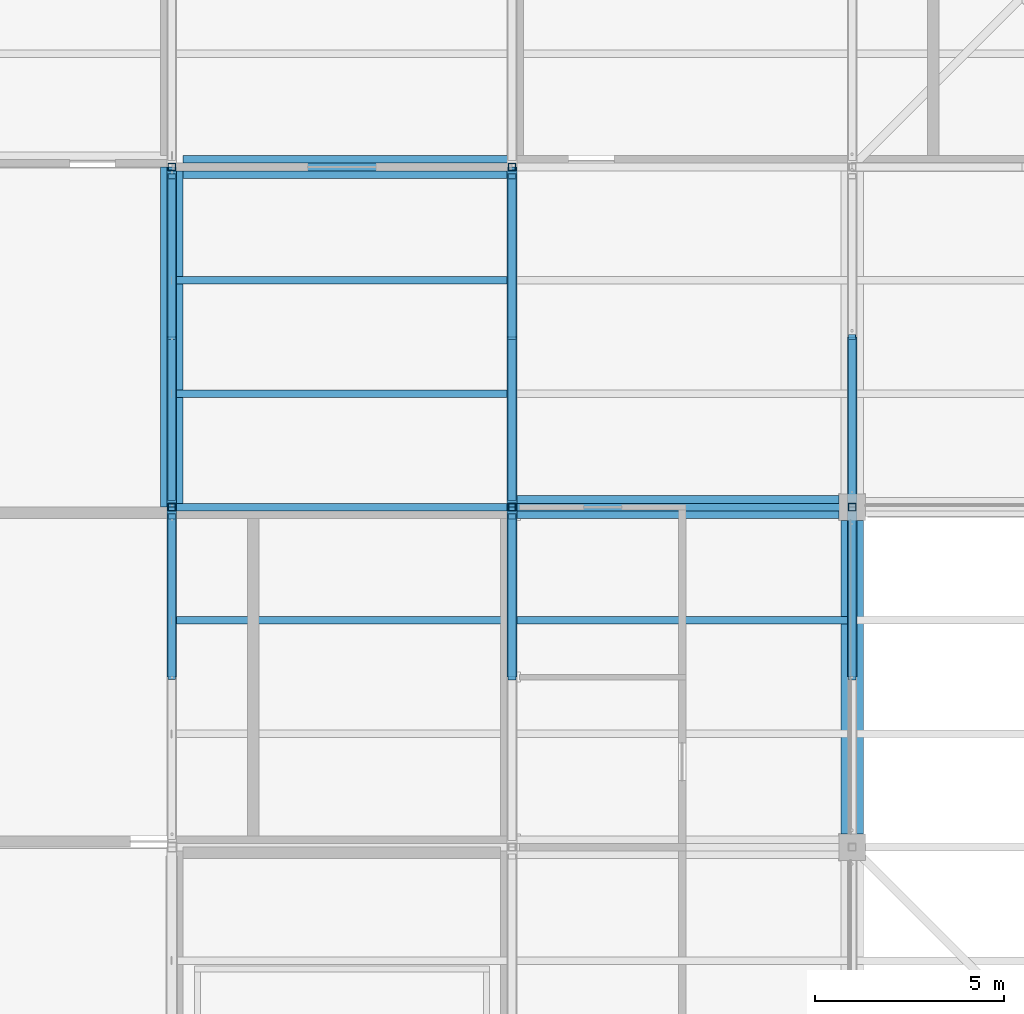
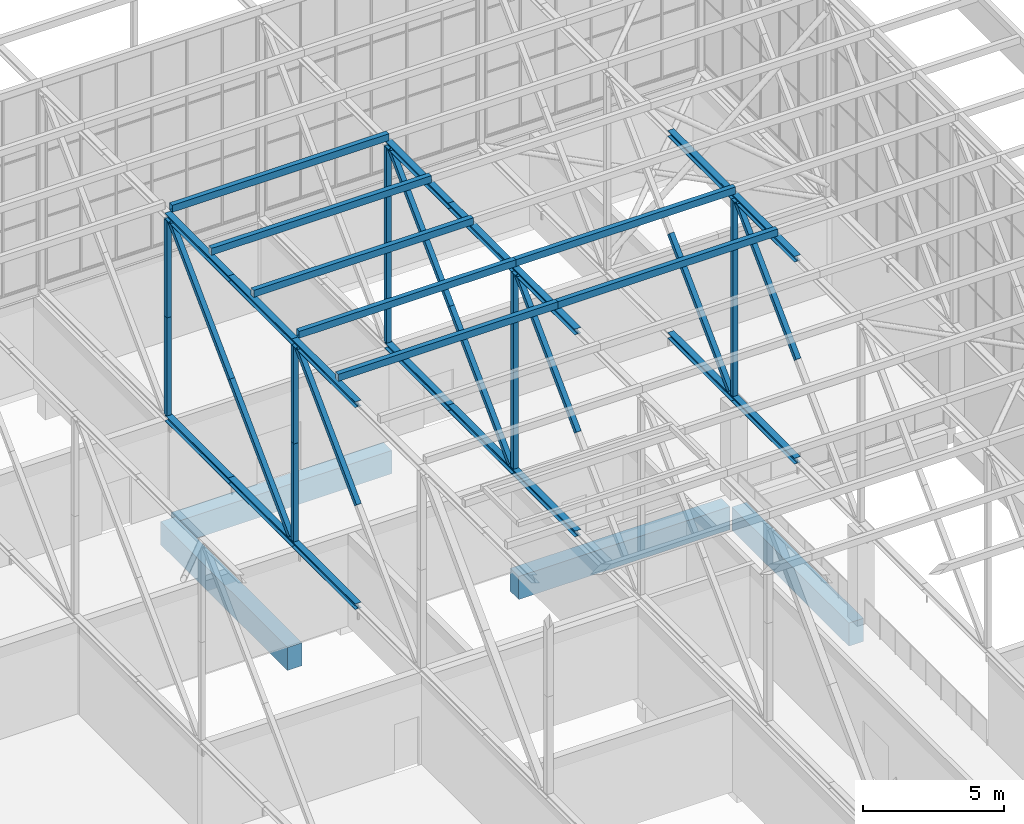
# One storey, part 108 of 646: 41 members, 4 beams.
"""IFC4 building model written with IfcOpenShell, lengths in metres."""

from ifc_helpers import new_model, si_unit, direction, frame, origin, origin_2d, place, context, subcontext, project, spatial, rectangle, hollow_rectangle, i_section, extrude, material, material_profile, profile_set, type_object, element, save


model = new_model("IFC4")

# Units and contexts
model_context = context("Model", 3, precision=1e-05, world=origin(), true_north=direction((0.0, 1.0)))
body_context = subcontext(model_context, "Body", "Model", "MODEL_VIEW")
ifc_project = project(units=[si_unit("LENGTHUNIT", "METRE"), si_unit("AREAUNIT", "SQUARE_METRE"), si_unit("VOLUMEUNIT", "CUBIC_METRE"), si_unit("PLANEANGLEUNIT", "RADIAN"), si_unit("MASSUNIT", "GRAM", prefix="KILO")], contexts=[model_context])

# Site, building, storey
site_placement = place(None, origin())
site = spatial("IfcSite", under=ifc_project, at=site_placement, CompositionType="ELEMENT")
building_placement = place(site_placement, origin())
building = spatial("IfcBuilding", under=site, at=building_placement, Name="Silverbay Arena", CompositionType="ELEMENT")
storey_placement = place(building_placement, frame((0.0, 0.0, 33.5)))
storey = spatial("IfcBuildingStorey", under=building, at=storey_placement, Name="L05", CompositionType="ELEMENT", Elevation=33.5)

# Members
ifc_material_1 = material(Name="Steel S355", Category="steel")
ifc_material_profile_1 = material_profile(ifc_material_1, i_section(OverallWidth=0.254638671875, OverallDepth=0.254150390625, WebThickness=0.008544921875, FlangeThickness=0.01416015625, at=origin_2d()), Name="UC 254x254x73")
ifc_profile_set_1 = profile_set([ifc_material_profile_1], Name="Steel S355")
member_type_1 = type_object("IfcMemberType", Name="Long-span bottom chord UC 254x254x73", PredefinedType="CHORD", material=ifc_profile_set_1)
for number, where, z_axis, x_axis, name in (
    (1, (180.0, 121.5, 4.126953125), (0.0, 1.0, 0.0), (-1.0, 0.0, 0.0), "ROOF TRUSS 21 bottom chord 13b"),
    (2, (180.0, 126.0, 4.126953125), (0.0, 1.0, 0.0), (-1.0, 0.0, 0.0), "ROOF TRUSS 21 bottom chord 14a"),
    (3, (180.0, 130.5, 4.126953125), (0.0, 1.0, 0.0), (-1.0, 0.0, 0.0), "ROOF TRUSS 21 bottom chord 14b"),
):
    element("IfcMember", number, at=place(storey_placement, frame(where, z_axis=z_axis, x_axis=x_axis)), inside=storey, type_object=member_type_1, Name=name, PredefinedType="CHORD", context=body_context, shape_type="SweptSolid", body=[
        extrude(i_section(OverallWidth=0.254638671875, OverallDepth=0.254150390625, WebThickness=0.008544921875, FlangeThickness=0.01416015625, at=origin_2d()), origin(), (0.0, 0.0, 1.0), 4.5),
    ])
ifc_material_2 = material(Name="Steel S355", Category="steel")
ifc_material_profile_2 = material_profile(ifc_material_2, i_section(OverallWidth=0.254638671875, OverallDepth=0.254150390625, WebThickness=0.008544921875, FlangeThickness=0.01416015625, at=origin_2d()), Name="UC 254x254x73")
ifc_profile_set_2 = profile_set([ifc_material_profile_2], Name="Steel S355")
member_type_2 = type_object("IfcMemberType", Name="Long-span top chord UC 254x254x73", PredefinedType="CHORD", material=ifc_profile_set_2)
for number, where, z_axis, x_axis, name in (
    (4, (180.0, 121.5, 12.873046875), (0.0, 1.0, 0.0), (-1.0, 0.0, 0.0), "ROOF TRUSS 21 top chord 13b"),
    (5, (180.0, 126.0, 12.873046875), (0.0, 1.0, 0.0), (-1.0, 0.0, 0.0), "ROOF TRUSS 21 top chord 14a"),
    (6, (180.0, 130.5, 12.873046875), (0.0, 1.0, 0.0), (-1.0, 0.0, 0.0), "ROOF TRUSS 21 top chord 14b"),
):
    element("IfcMember", number, at=place(storey_placement, frame(where, z_axis=z_axis, x_axis=x_axis)), inside=storey, type_object=member_type_2, Name=name, PredefinedType="CHORD", context=body_context, shape_type="SweptSolid", body=[
        extrude(i_section(OverallWidth=0.254638671875, OverallDepth=0.254150390625, WebThickness=0.008544921875, FlangeThickness=0.01416015625, at=origin_2d()), origin(), (0.0, 0.0, 1.0), 4.5),
    ])
ifc_material_3 = material(Name="Steel S355", Category="steel")
ifc_material_profile_3 = material_profile(ifc_material_3, hollow_rectangle(XDim=0.199951171875, YDim=0.199951171875, WallThickness=0.008056640625, at=origin_2d()), Name="SHS 200x200x8")
ifc_profile_set_3 = profile_set([ifc_material_profile_3], Name="Steel S355")
member_type_3 = type_object("IfcMemberType", Name="Long-span truss diagonal SHS 200x200x8", PredefinedType="BRACE", material=ifc_profile_set_3)
member_1_placement = place(storey_placement, frame((180.0, 125.75439453125, 12.745849609375), z_axis=(0.0, -0.706781281828, -0.707432130778), x_axis=(1.0, 0.0, 0.0)))
element("IfcMember", 7, at=member_1_placement, inside=storey, type_object=member_type_3, Name="ROOF TRUSS 21 diagonal 13a", PredefinedType="BRACE", context=body_context, shape_type="SweptSolid", body=[
    extrude(hollow_rectangle(XDim=0.199951171875, YDim=0.199951171875, WallThickness=0.008056640625, at=origin_2d()), origin(), (0.0, 0.0, 1.0), 6.001708984375),
])
for number, where, z_axis, x_axis, name in (
    (8, (180.0, 134.75439453125, 12.745849609375), (0.0, -0.70781724692, -0.706395600894), (1.0, 0.0, 0.0), "ROOF TRUSS 21 diagonal 14a"),
    (9, (180.0, 130.5, 8.5), (0.0, -0.70781724692, -0.706395600894), (1.0, 0.0, 0.0), "ROOF TRUSS 21 diagonal 14b"),
):
    element("IfcMember", number, at=place(storey_placement, frame(where, z_axis=z_axis, x_axis=x_axis)), inside=storey, type_object=member_type_3, Name=name, PredefinedType="BRACE", context=body_context, shape_type="SweptSolid", body=[
        extrude(hollow_rectangle(XDim=0.199951171875, YDim=0.199951171875, WallThickness=0.008056640625, at=origin_2d()), origin(), (0.0, 0.0, 1.0), 6.010498046875),
    ])
ifc_material_4 = material(Name="Steel S355", Category="steel")
ifc_material_profile_4 = material_profile(ifc_material_4, hollow_rectangle(XDim=0.199951171875, YDim=0.199951171875, WallThickness=0.008056640625, at=origin_2d()), Name="SHS 200x200x8")
ifc_profile_set_4 = profile_set([ifc_material_profile_4], Name="Steel S355")
member_type_4 = type_object("IfcMemberType", Name="Long-span truss vertical SHS 200x200x8", PredefinedType="STRUT", material=ifc_profile_set_4)
for number, where, z_axis, x_axis, name in (
    (10, (180.0, 126.0, 4.254150390625), (0.0, 0.0, 1.0), (1.0, 0.0, 0.0), "ROOF TRUSS 21 vertical 14a"),
    (11, (180.0, 126.0, 8.5), (0.0, 0.0, 1.0), (1.0, 0.0, 0.0), "ROOF TRUSS 21 vertical 14b"),
    (12, (180.0, 135.0, 4.254150390625), (0.0, 0.0, 1.0), (1.0, 0.0, 0.0), "ROOF TRUSS 21 vertical 15a"),
    (13, (180.0, 135.0, 8.5), (0.0, 0.0, 1.0), (1.0, 0.0, 0.0), "ROOF TRUSS 21 vertical 15b"),
):
    element("IfcMember", number, at=place(storey_placement, frame(where, z_axis=z_axis, x_axis=x_axis)), inside=storey, type_object=member_type_4, Name=name, PredefinedType="STRUT", context=body_context, shape_type="SweptSolid", body=[
        extrude(hollow_rectangle(XDim=0.199951171875, YDim=0.199951171875, WallThickness=0.008056640625, at=origin_2d()), origin(), (0.0, 0.0, 1.0), 4.245849609375),
    ])
ifc_material_5 = material(Name="Steel S355", Category="steel")
ifc_material_profile_5 = material_profile(ifc_material_5, i_section(OverallWidth=0.254638671875, OverallDepth=0.254150390625, WebThickness=0.008544921875, FlangeThickness=0.01416015625, at=origin_2d()), Name="UC 254x254x73")
ifc_profile_set_5 = profile_set([ifc_material_profile_5], Name="Steel S355")
member_type_5 = type_object("IfcMemberType", Name="Medium-span bottom chord UC 254x254x73", PredefinedType="CHORD", material=ifc_profile_set_5)
for number, where, z_axis, x_axis, name in (
    (14, (189.0, 121.5, 4.126953125), (0.0, 1.0, 0.0), (-1.0, 0.0, 0.0), "ROOF TRUSS 22 bottom chord 13b"),
    (15, (189.0, 126.0, 4.126953125), (0.0, 1.0, 0.0), (-1.0, 0.0, 0.0), "ROOF TRUSS 22 bottom chord 14a"),
    (16, (189.0, 130.5, 4.126953125), (0.0, 1.0, 0.0), (-1.0, 0.0, 0.0), "ROOF TRUSS 22 bottom chord 14b"),
):
    element("IfcMember", number, at=place(storey_placement, frame(where, z_axis=z_axis, x_axis=x_axis)), inside=storey, type_object=member_type_5, Name=name, PredefinedType="CHORD", context=body_context, shape_type="SweptSolid", body=[
        extrude(i_section(OverallWidth=0.254638671875, OverallDepth=0.254150390625, WebThickness=0.008544921875, FlangeThickness=0.01416015625, at=origin_2d()), origin(), (0.0, 0.0, 1.0), 4.5),
    ])
ifc_material_6 = material(Name="Steel S355", Category="steel")
ifc_material_profile_6 = material_profile(ifc_material_6, i_section(OverallWidth=0.254638671875, OverallDepth=0.254150390625, WebThickness=0.008544921875, FlangeThickness=0.01416015625, at=origin_2d()), Name="UC 254x254x73")
ifc_profile_set_6 = profile_set([ifc_material_profile_6], Name="Steel S355")
member_type_6 = type_object("IfcMemberType", Name="Medium-span top chord UC 254x254x73", PredefinedType="CHORD", material=ifc_profile_set_6)
for number, where, z_axis, x_axis, name in (
    (17, (189.0, 121.5, 12.873046875), (0.0, 1.0, 0.0), (-1.0, 0.0, 0.0), "ROOF TRUSS 22 top chord 13b"),
    (18, (189.0, 126.0, 12.873046875), (0.0, 1.0, 0.0), (-1.0, 0.0, 0.0), "ROOF TRUSS 22 top chord 14a"),
    (19, (189.0, 130.5, 12.873046875), (0.0, 1.0, 0.0), (-1.0, 0.0, 0.0), "ROOF TRUSS 22 top chord 14b"),
):
    element("IfcMember", number, at=place(storey_placement, frame(where, z_axis=z_axis, x_axis=x_axis)), inside=storey, type_object=member_type_6, Name=name, PredefinedType="CHORD", context=body_context, shape_type="SweptSolid", body=[
        extrude(i_section(OverallWidth=0.254638671875, OverallDepth=0.254150390625, WebThickness=0.008544921875, FlangeThickness=0.01416015625, at=origin_2d()), origin(), (0.0, 0.0, 1.0), 4.5),
    ])
ifc_material_7 = material(Name="Steel S355", Category="steel")
ifc_material_profile_7 = material_profile(ifc_material_7, hollow_rectangle(XDim=0.199951171875, YDim=0.199951171875, WallThickness=0.008056640625, at=origin_2d()), Name="SHS 200x200x8")
ifc_profile_set_7 = profile_set([ifc_material_profile_7], Name="Steel S355")
member_type_7 = type_object("IfcMemberType", Name="Medium-span truss diagonal SHS 200x200x8", PredefinedType="BRACE", material=ifc_profile_set_7)
for number, where, z_axis, x_axis, name in (
    (20, (189.0, 125.75439453125, 12.745849609375), (0.0, -0.70781724692, -0.706395600894), (1.0, 0.0, 0.0), "ROOF TRUSS 22 diagonal 13a"),
    (21, (189.0, 134.75439453125, 12.745849609375), (0.0, -0.70781724692, -0.706395600894), (1.0, 0.0, 0.0), "ROOF TRUSS 22 diagonal 14a"),
    (22, (189.0, 130.5, 8.5), (0.0, -0.70781724692, -0.706395600894), (1.0, 0.0, 0.0), "ROOF TRUSS 22 diagonal 14b"),
):
    element("IfcMember", number, at=place(storey_placement, frame(where, z_axis=z_axis, x_axis=x_axis)), inside=storey, type_object=member_type_7, Name=name, PredefinedType="BRACE", context=body_context, shape_type="SweptSolid", body=[
        extrude(hollow_rectangle(XDim=0.199951171875, YDim=0.199951171875, WallThickness=0.008056640625, at=origin_2d()), origin(), (0.0, 0.0, 1.0), 6.010498046875),
    ])
ifc_material_8 = material(Name="Steel S355", Category="steel")
ifc_material_profile_8 = material_profile(ifc_material_8, hollow_rectangle(XDim=0.199951171875, YDim=0.199951171875, WallThickness=0.008056640625, at=origin_2d()), Name="SHS 200x200x8")
ifc_profile_set_8 = profile_set([ifc_material_profile_8], Name="Steel S355")
member_type_8 = type_object("IfcMemberType", Name="Medium-span truss vertical SHS 200x200x8", PredefinedType="STRUT", material=ifc_profile_set_8)
for number, where, z_axis, x_axis, name in (
    (23, (189.0, 126.0, 4.254150390625), (0.0, 0.0, 1.0), (1.0, 0.0, 0.0), "ROOF TRUSS 22 vertical 14a"),
    (24, (189.0, 126.0, 8.5), (0.0, 0.0, 1.0), (1.0, 0.0, 0.0), "ROOF TRUSS 22 vertical 14b"),
    (25, (189.0, 135.0, 4.254150390625), (0.0, 0.0, 1.0), (1.0, 0.0, 0.0), "ROOF TRUSS 22 vertical 15a"),
    (26, (189.0, 135.0, 8.5), (0.0, 0.0, 1.0), (1.0, 0.0, 0.0), "ROOF TRUSS 22 vertical 15b"),
):
    element("IfcMember", number, at=place(storey_placement, frame(where, z_axis=z_axis, x_axis=x_axis)), inside=storey, type_object=member_type_8, Name=name, PredefinedType="STRUT", context=body_context, shape_type="SweptSolid", body=[
        extrude(hollow_rectangle(XDim=0.199951171875, YDim=0.199951171875, WallThickness=0.008056640625, at=origin_2d()), origin(), (0.0, 0.0, 1.0), 4.245849609375),
    ])
ifc_material_9 = material(Name="Steel S355", Category="steel")
ifc_material_profile_9 = material_profile(ifc_material_9, hollow_rectangle(XDim=0.199951171875, YDim=0.300048828125, WallThickness=0.00634765625, at=origin_2d()), Name="RHS 300x200x6.3")
ifc_profile_set_9 = profile_set([ifc_material_profile_9], Name="Steel S355")
member_type_9 = type_object("IfcMemberType", Name="Purlin RHS 300x200x6.3", PredefinedType="PURLIN", material=ifc_profile_set_9)
member_2_placement = place(storey_placement, frame((180.0, 123.0, 13.14990234375), z_axis=(1.0, 0.0, 0.0), x_axis=(0.0, 1.0, 0.0)))
element("IfcMember", 27, at=member_2_placement, inside=storey, type_object=member_type_9, Name="ROOF PURLIN 21-22 line 39", PredefinedType="PURLIN", context=body_context, shape_type="SweptSolid", body=[
    extrude(hollow_rectangle(XDim=0.199951171875, YDim=0.300048828125, WallThickness=0.00634765625, at=origin_2d()), origin(), (0.0, 0.0, 1.0), 9.0),
])
member_3_placement = place(storey_placement, frame((180.125, 126.0, 13.14990234375), z_axis=(1.0, 0.0, 0.0), x_axis=(0.0, 1.0, 0.0)))
element("IfcMember", 28, at=member_3_placement, inside=storey, type_object=member_type_9, Name="ROOF PURLIN 21-22 line 40", PredefinedType="PURLIN", context=body_context, shape_type="SweptSolid", body=[
    extrude(hollow_rectangle(XDim=0.199951171875, YDim=0.300048828125, WallThickness=0.00634765625, at=origin_2d()), origin(), (0.0, 0.0, 1.0), 8.875),
])
for number, where, z_axis, x_axis, name in (
    (29, (180.0, 129.0, 13.14990234375), (1.0, 0.0, 0.0), (0.0, 1.0, 0.0), "ROOF PURLIN 21-22 line 41"),
    (30, (180.0, 132.0, 13.14990234375), (1.0, 0.0, 0.0), (0.0, 1.0, 0.0), "ROOF PURLIN 21-22 line 42"),
):
    element("IfcMember", number, at=place(storey_placement, frame(where, z_axis=z_axis, x_axis=x_axis)), inside=storey, type_object=member_type_9, Name=name, PredefinedType="PURLIN", context=body_context, shape_type="SweptSolid", body=[
        extrude(hollow_rectangle(XDim=0.199951171875, YDim=0.300048828125, WallThickness=0.00634765625, at=origin_2d()), origin(), (0.0, 0.0, 1.0), 9.0),
    ])
member_4_placement = place(storey_placement, frame((180.125, 135.0, 13.14990234375), z_axis=(1.0, 0.0, 0.0), x_axis=(0.0, 1.0, 0.0)))
element("IfcMember", 31, at=member_4_placement, inside=storey, type_object=member_type_9, Name="ROOF PURLIN 21-22 line 43", PredefinedType="PURLIN", context=body_context, shape_type="SweptSolid", body=[
    extrude(hollow_rectangle(XDim=0.199951171875, YDim=0.300048828125, WallThickness=0.00634765625, at=origin_2d()), origin(), (0.0, 0.0, 1.0), 8.875),
])
for number, where, z_axis, x_axis, name in (
    (32, (189.0, 123.0, 13.14990234375), (1.0, 0.0, 0.0), (0.0, 1.0, 0.0), "ROOF PURLIN 22-23 line 39"),
    (33, (189.0, 126.0, 13.14990234375), (1.0, 0.0, 0.0), (0.0, 1.0, 0.0), "ROOF PURLIN 22-23 line 40"),
):
    element("IfcMember", number, at=place(storey_placement, frame(where, z_axis=z_axis, x_axis=x_axis)), inside=storey, type_object=member_type_9, Name=name, PredefinedType="PURLIN", context=body_context, shape_type="SweptSolid", body=[
        extrude(hollow_rectangle(XDim=0.199951171875, YDim=0.300048828125, WallThickness=0.00634765625, at=origin_2d()), origin(), (0.0, 0.0, 1.0), 9.0),
    ])

# Beams
ifc_material_10 = material(Name="Concrete Grade C45", Category="concrete")
ifc_material_profile_10 = material_profile(ifc_material_10, rectangle(XDim=0.60009765625, YDim=1.0, at=origin_2d()), Name="RC 600x1000")
ifc_profile_set_10 = profile_set([ifc_material_profile_10], Name="Concrete Grade C45")
beam_type = type_object("IfcBeamType", Name="RC beam 600x1000", PredefinedType="BEAM", material=ifc_profile_set_10)
beam_1_placement = place(storey_placement, frame((189.0, 126.0, -0.800048828125), z_axis=(1.0, 0.0, 0.0), x_axis=(0.0, 1.0, 0.0)))
element("IfcBeam", 34, at=beam_1_placement, inside=storey, type_object=beam_type, Name="Floor beam L05 059", PredefinedType="BEAM", context=body_context, shape_type="SweptSolid", body=[
    extrude(rectangle(XDim=0.60009765625, YDim=1.0, at=origin_2d()), origin(), (0.0, 0.0, 1.0), 8.64990234375),
])
beam_2_placement = place(storey_placement, frame((180.300048828125, 135.0, -0.800048828125), z_axis=(1.0, 0.0, 0.0), x_axis=(0.0, 1.0, 0.0)))
element("IfcBeam", 35, at=beam_2_placement, inside=storey, type_object=beam_type, Name="Floor beam L05 065", PredefinedType="BEAM", context=body_context, shape_type="SweptSolid", body=[
    extrude(rectangle(XDim=0.60009765625, YDim=1.0, at=origin_2d()), origin(), (0.0, 0.0, 1.0), 8.699951171875),
])
beam_3_placement = place(storey_placement, frame((180.0, 126.0, -0.800048828125), z_axis=(0.0, 1.0, 0.0), x_axis=(-1.0, 0.0, 0.0)))
element("IfcBeam", 36, at=beam_3_placement, inside=storey, type_object=beam_type, Name="Floor beam L05 138", PredefinedType="BEAM", context=body_context, shape_type="SweptSolid", body=[
    extrude(rectangle(XDim=0.60009765625, YDim=1.0, at=origin_2d()), origin(), (0.0, 0.0, 1.0), 9.0),
])
beam_4_placement = place(storey_placement, frame((198.0, 117.35009765625, -0.800048828125), z_axis=(0.0, 1.0, 0.0), x_axis=(-1.0, 0.0, 0.0)))
element("IfcBeam", 37, at=beam_4_placement, inside=storey, type_object=beam_type, Name="Floor beam L05 145", PredefinedType="BEAM", context=body_context, shape_type="SweptSolid", body=[
    extrude(rectangle(XDim=0.60009765625, YDim=1.0, at=origin_2d()), origin(), (0.0, 0.0, 1.0), 8.2998046875),
])

# Members
ifc_material_11 = material(Name="Steel S355", Category="steel")
ifc_material_profile_11 = material_profile(ifc_material_11, i_section(OverallWidth=0.254638671875, OverallDepth=0.254150390625, WebThickness=0.008544921875, FlangeThickness=0.01416015625, at=origin_2d()), Name="UC 254x254x73")
ifc_profile_set_11 = profile_set([ifc_material_profile_11], Name="Steel S355")
member_type_10 = type_object("IfcMemberType", Name="Short-span bottom chord UC 254x254x73", PredefinedType="CHORD", material=ifc_profile_set_11)
for number, where, z_axis, x_axis, name in (
    (38, (198.0, 121.5, 4.126953125), (0.0, 1.0, 0.0), (-1.0, 0.0, 0.0), "ROOF TRUSS 23 bottom chord 13b"),
    (39, (198.0, 126.0, 4.126953125), (0.0, 1.0, 0.0), (-1.0, 0.0, 0.0), "ROOF TRUSS 23 bottom chord 14a"),
):
    element("IfcMember", number, at=place(storey_placement, frame(where, z_axis=z_axis, x_axis=x_axis)), inside=storey, type_object=member_type_10, Name=name, PredefinedType="CHORD", context=body_context, shape_type="SweptSolid", body=[
        extrude(i_section(OverallWidth=0.254638671875, OverallDepth=0.254150390625, WebThickness=0.008544921875, FlangeThickness=0.01416015625, at=origin_2d()), origin(), (0.0, 0.0, 1.0), 4.5),
    ])
ifc_material_12 = material(Name="Steel S355", Category="steel")
ifc_material_profile_12 = material_profile(ifc_material_12, i_section(OverallWidth=0.254638671875, OverallDepth=0.254150390625, WebThickness=0.008544921875, FlangeThickness=0.01416015625, at=origin_2d()), Name="UC 254x254x73")
ifc_profile_set_12 = profile_set([ifc_material_profile_12], Name="Steel S355")
member_type_11 = type_object("IfcMemberType", Name="Short-span top chord UC 254x254x73", PredefinedType="CHORD", material=ifc_profile_set_12)
for number, where, z_axis, x_axis, name in (
    (40, (198.0, 121.5, 12.873046875), (0.0, 1.0, 0.0), (-1.0, 0.0, 0.0), "ROOF TRUSS 23 top chord 13b"),
    (41, (198.0, 126.0, 12.873046875), (0.0, 1.0, 0.0), (-1.0, 0.0, 0.0), "ROOF TRUSS 23 top chord 14a"),
):
    element("IfcMember", number, at=place(storey_placement, frame(where, z_axis=z_axis, x_axis=x_axis)), inside=storey, type_object=member_type_11, Name=name, PredefinedType="CHORD", context=body_context, shape_type="SweptSolid", body=[
        extrude(i_section(OverallWidth=0.254638671875, OverallDepth=0.254150390625, WebThickness=0.008544921875, FlangeThickness=0.01416015625, at=origin_2d()), origin(), (0.0, 0.0, 1.0), 4.5),
    ])
ifc_material_13 = material(Name="Steel S355", Category="steel")
ifc_material_profile_13 = material_profile(ifc_material_13, hollow_rectangle(XDim=0.199951171875, YDim=0.199951171875, WallThickness=0.008056640625, at=origin_2d()), Name="SHS 200x200x8")
ifc_profile_set_13 = profile_set([ifc_material_profile_13], Name="Steel S355")
member_type_12 = type_object("IfcMemberType", Name="Short-span truss diagonal SHS 200x200x8", PredefinedType="BRACE", material=ifc_profile_set_13)
for number, where, z_axis, x_axis, name in (
    (42, (198.0, 125.75439453125, 12.745849609375), (0.0, -0.70781724692, -0.706395600894), (1.0, 0.0, 0.0), "ROOF TRUSS 23 diagonal 13a"),
    (43, (198.0, 130.5, 8.5), (0.0, -0.70781724692, -0.706395600894), (1.0, 0.0, 0.0), "ROOF TRUSS 23 diagonal 14b"),
):
    element("IfcMember", number, at=place(storey_placement, frame(where, z_axis=z_axis, x_axis=x_axis)), inside=storey, type_object=member_type_12, Name=name, PredefinedType="BRACE", context=body_context, shape_type="SweptSolid", body=[
        extrude(hollow_rectangle(XDim=0.199951171875, YDim=0.199951171875, WallThickness=0.008056640625, at=origin_2d()), origin(), (0.0, 0.0, 1.0), 6.010498046875),
    ])
ifc_material_14 = material(Name="Steel S355", Category="steel")
ifc_material_profile_14 = material_profile(ifc_material_14, hollow_rectangle(XDim=0.199951171875, YDim=0.199951171875, WallThickness=0.008056640625, at=origin_2d()), Name="SHS 200x200x8")
ifc_profile_set_14 = profile_set([ifc_material_profile_14], Name="Steel S355")
member_type_13 = type_object("IfcMemberType", Name="Short-span truss vertical SHS 200x200x8", PredefinedType="STRUT", material=ifc_profile_set_14)
for number, where, z_axis, x_axis, name in (
    (44, (198.0, 126.0, 4.254150390625), (0.0, 0.0, 1.0), (1.0, 0.0, 0.0), "ROOF TRUSS 23 vertical 14a"),
    (45, (198.0, 126.0, 8.5), (0.0, 0.0, 1.0), (1.0, 0.0, 0.0), "ROOF TRUSS 23 vertical 14b"),
):
    element("IfcMember", number, at=place(storey_placement, frame(where, z_axis=z_axis, x_axis=x_axis)), inside=storey, type_object=member_type_13, Name=name, PredefinedType="STRUT", context=body_context, shape_type="SweptSolid", body=[
        extrude(hollow_rectangle(XDim=0.199951171875, YDim=0.199951171875, WallThickness=0.008056640625, at=origin_2d()), origin(), (0.0, 0.0, 1.0), 4.245849609375),
    ])

save(model, "model.ifc")
